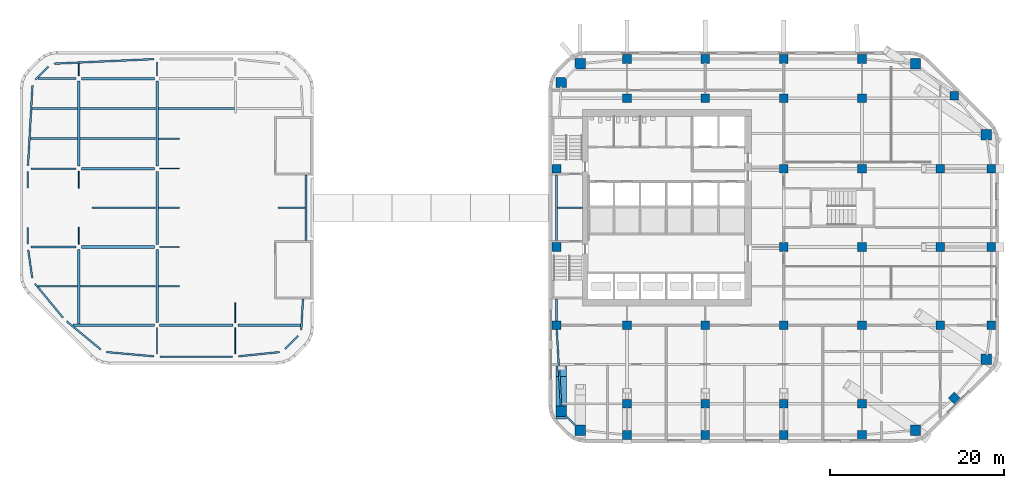
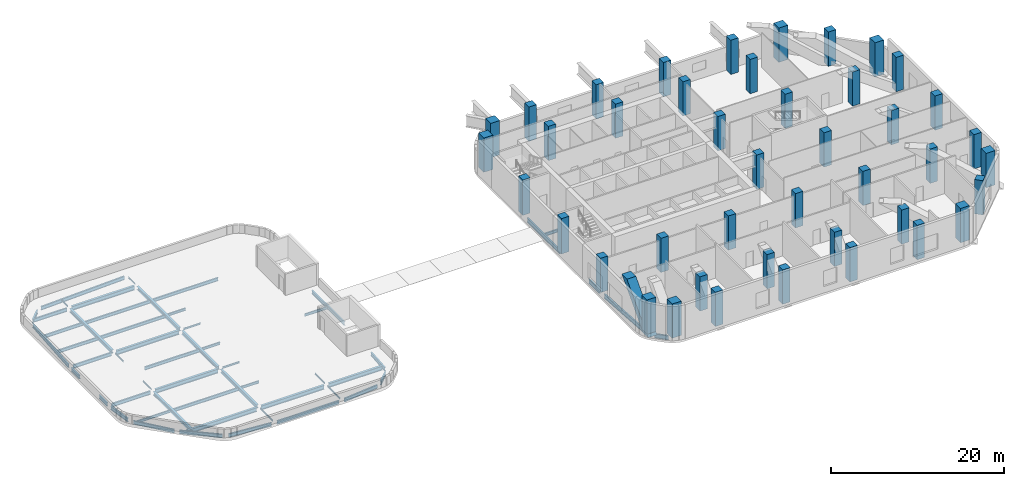
# One storey, part 1 of 11: 54 beams, 43 columns, 1 member.
"""IFC4 building model written with IfcOpenShell, lengths in metres."""

from ifc_helpers import new_model, si_unit, direction, frame, origin, origin_2d, place, context, subcontext, project, spatial, rectangle, i_section, extrude, material, material_profile, profile_set, type_object, element, save


model = new_model("IFC4")

# Units and contexts
model_context = context("Model", 3, precision=1e-05, world=origin(), true_north=direction((0.0, 1.0)))
body_context = subcontext(model_context, "Body", "Model", "MODEL_VIEW")
ifc_project = project(units=[si_unit("LENGTHUNIT", "METRE"), si_unit("AREAUNIT", "SQUARE_METRE"), si_unit("VOLUMEUNIT", "CUBIC_METRE"), si_unit("PLANEANGLEUNIT", "RADIAN"), si_unit("MASSUNIT", "GRAM", prefix="KILO")], contexts=[model_context])

# Site, building, storey
site_placement = place(None, origin())
site = spatial("IfcSite", under=ifc_project, at=site_placement, CompositionType="ELEMENT")
building_placement = place(site_placement, origin())
building = spatial("IfcBuilding", under=site, at=building_placement, Name="Cinnabar Reach Civic Tower", CompositionType="ELEMENT")
storey_placement = place(building_placement, frame((0.0, 0.0, 144.0)))
storey = spatial("IfcBuildingStorey", under=building, at=storey_placement, Name="L34", CompositionType="ELEMENT", Elevation=144.0)

# Columns
ifc_material_1 = material(Name="Concrete C70", Category="concrete")
ifc_material_profile_1 = material_profile(ifc_material_1, rectangle(XDim=1.0, YDim=1.0, at=origin_2d()), Name="RC1000")
ifc_profile_set_1 = profile_set([ifc_material_profile_1], Name="Concrete C70")
column_type_1 = type_object("IfcColumnType", Name="RC1000 column R 240", PredefinedType="COLUMN", material=ifc_profile_set_1)
for number, where, z_axis, x_axis, name in (
    (1, (9.0, 5.4, 0.0), (0.0, 0.0, 1.0), (1.0, 0.0, 0.0), "Terrace post T1-Z2-F0-1"),
    (2, (18.0, 5.4, 0.0), (0.0, 0.0, 1.0), (1.0, 0.0, 0.0), "Terrace post T1-Z2-F0-2"),
    (3, (27.0, 5.4, 0.0), (0.0, 0.0, 1.0), (1.0, 0.0, 0.0), "Terrace post T1-Z2-F0-3"),
    (4, (36.0, 5.4, 0.0), (0.0, 0.0, 1.0), (1.0, 0.0, 0.0), "Column T1-Z2-F0-4"),
    (5, (46.6136, 9.6364, 0.0), (0.0, 0.0, 1.0), (0.707106781187, 0.707106781187, 0.0), "Column T1-Z2-F1-M"),
    (6, (50.85, 18.0, 0.0), (0.0, 0.0, 1.0), (1.0, 0.0, 0.0), "Column T1-Z2-F2-2"),
    (7, (50.85, 27.0, 0.0), (0.0, 0.0, 1.0), (1.0, 0.0, 0.0), "Terrace post T1-Z2-F2-3"),
    (8, (50.85, 36.0, 0.0), (0.0, 0.0, 1.0), (1.0, 0.0, 0.0), "Terrace post T1-Z2-F2-4"),
    (9, (46.6136, 44.3636, 0.0), (0.0, 0.0, 1.0), (1.0, 0.0, 0.0), "Terrace post T1-Z2-F3-M"),
    (10, (9.0, 48.6, 0.0), (0.0, 0.0, 1.0), (1.0, 0.0, 0.0), "Column T1-Z2-F4-1"),
    (11, (18.0, 48.6, 0.0), (0.0, 0.0, 1.0), (1.0, 0.0, 0.0), "Column T1-Z2-F4-2"),
    (12, (27.0, 48.6, 0.0), (0.0, 0.0, 1.0), (1.0, 0.0, 0.0), "Column T1-Z2-F4-3"),
    (13, (36.0, 48.6, 0.0), (0.0, 0.0, 1.0), (1.0, 0.0, 0.0), "Column T1-Z2-F4-4"),
    (14, (0.9, 18.0, 0.0), (0.0, 0.0, 1.0), (1.0, 0.0, 0.0), "Column T1-Z2-F6-2"),
):
    element("IfcColumn", number, at=place(storey_placement, frame(where, z_axis=z_axis, x_axis=x_axis)), inside=storey, type_object=column_type_1, Name=name, PredefinedType="COLUMN", context=body_context, shape_type="SweptSolid", body=[
        extrude(rectangle(XDim=1.0, YDim=1.0, at=origin_2d()), origin(), (0.0, 0.0, 1.0), 4.85),
    ])
for number, where, z_axis, x_axis, name in (
    (15, (0.9, 27.0, 0.0), (0.0, 0.0, 1.0), (1.0, 0.0, 0.0), "Column T1-Z2-F6-3"),
    (16, (0.9, 36.0, 0.0), (0.0, 0.0, 1.0), (1.0, 0.0, 0.0), "Column T1-Z2-F6-4"),
):
    element("IfcColumn", number, at=place(storey_placement, frame(where, z_axis=z_axis, x_axis=x_axis)), inside=storey, type_object=column_type_1, Name=name, PredefinedType="COLUMN", context=body_context, shape_type="SweptSolid", body=[
        extrude(rectangle(XDim=1.0, YDim=1.0, at=origin_2d()), origin(), (0.0, 0.0, 1.0), 5.0),
    ])
for number, where, z_axis, x_axis, name in (
    (17, (9.0, 9.0, 0.0), (0.0, 0.0, 1.0), (1.0, 0.0, 0.0), "Column T1-Z2-I9_9"),
    (18, (9.0, 18.0, 0.0), (0.0, 0.0, 1.0), (1.0, 0.0, 0.0), "Column T1-Z2-I9_18"),
    (19, (9.0, 44.1, 0.0), (0.0, 0.0, 1.0), (1.0, 0.0, 0.0), "Column T1-Z2-I9_45"),
    (20, (18.0, 9.0, 0.0), (0.0, 0.0, 1.0), (1.0, 0.0, 0.0), "Column T1-Z2-I18_9"),
    (21, (18.0, 18.0, 0.0), (0.0, 0.0, 1.0), (1.0, 0.0, 0.0), "Column T1-Z2-I18_18"),
    (22, (18.0, 44.1, 0.0), (0.0, 0.0, 1.0), (1.0, 0.0, 0.0), "Column T1-Z2-I18_45"),
    (23, (27.0, 9.0, 0.0), (0.0, 0.0, 1.0), (1.0, 0.0, 0.0), "Column T1-Z2-I27_9"),
    (24, (27.0, 18.0, 0.0), (0.0, 0.0, 1.0), (1.0, 0.0, 0.0), "Column T1-Z2-I27_18"),
    (25, (27.0, 27.0, 0.0), (0.0, 0.0, 1.0), (1.0, 0.0, 0.0), "Column T1-Z2-I27_27"),
    (26, (27.0, 36.0, 0.0), (0.0, 0.0, 1.0), (1.0, 0.0, 0.0), "Column T1-Z2-I27_36"),
    (27, (27.0, 44.1, 0.0), (0.0, 0.0, 1.0), (1.0, 0.0, 0.0), "Column T1-Z2-I27_45"),
    (28, (36.0, 9.0, 0.0), (0.0, 0.0, 1.0), (1.0, 0.0, 0.0), "Column T1-Z2-I36_9"),
    (29, (36.0, 18.0, 0.0), (0.0, 0.0, 1.0), (1.0, 0.0, 0.0), "Column T1-Z2-I36_18"),
    (30, (36.0, 27.0, 0.0), (0.0, 0.0, 1.0), (1.0, 0.0, 0.0), "Column T1-Z2-I36_27"),
    (31, (36.0, 36.0, 0.0), (0.0, 0.0, 1.0), (1.0, 0.0, 0.0), "Column T1-Z2-I36_36"),
    (32, (36.0, 44.1, 0.0), (0.0, 0.0, 1.0), (1.0, 0.0, 0.0), "Column T1-Z2-I36_45"),
    (33, (45.0, 18.0, 0.0), (0.0, 0.0, 1.0), (1.0, 0.0, 0.0), "Column T1-Z2-I45_18"),
    (34, (45.0, 27.0, 0.0), (0.0, 0.0, 1.0), (1.0, 0.0, 0.0), "Column T1-Z2-I45_27"),
    (35, (45.0, 36.0, 0.0), (0.0, 0.0, 1.0), (1.0, 0.0, 0.0), "Column T1-Z2-I45_36"),
):
    element("IfcColumn", number, at=place(storey_placement, frame(where, z_axis=z_axis, x_axis=x_axis)), inside=storey, type_object=column_type_1, Name=name, PredefinedType="COLUMN", context=body_context, shape_type="SweptSolid", body=[
        extrude(rectangle(XDim=1.0, YDim=1.0, at=origin_2d()), origin(), (0.0, 0.0, 1.0), 4.85),
    ])
ifc_material_2 = material(Name="Concrete C80", Category="concrete")
ifc_material_profile_2 = material_profile(ifc_material_2, rectangle(XDim=1.2, YDim=1.2, at=origin_2d()), Name="RC1200")
ifc_profile_set_2 = profile_set([ifc_material_profile_2], Name="Concrete C80")
column_type_2 = type_object("IfcColumnType", Name="RC1200 column R 240", PredefinedType="COLUMN", material=ifc_profile_set_2)
for number, where, z_axis, x_axis, name in (
    (36, (3.6019, 5.9531, 0.0), (0.0, 0.0, 1.0), (1.0, 0.0, 0.0), "Terrace post T1-Z2-CC0"),
    (37, (42.1481, 5.9531, 0.0), (0.0, 0.0, 1.0), (1.0, 0.0, 0.0), "Terrace post T1-Z2-CC1"),
    (38, (50.2969, 14.1019, 0.0), (0.0, 0.0, 1.0), (1.0, 0.0, 0.0), "Terrace post T1-Z2-CC2"),
    (39, (50.2969, 39.8981, 0.0), (0.0, 0.0, 1.0), (1.0, 0.0, 0.0), "Terrace post T1-Z2-CC3"),
    (40, (42.1481, 48.0469, 0.0), (0.0, 0.0, 1.0), (1.0, 0.0, 0.0), "Column T1-Z2-CC4"),
    (41, (3.6019, 48.0469, 0.0), (0.0, 0.0, 1.0), (1.0, 0.0, 0.0), "Column T1-Z2-CC5"),
    (42, (1.4531, 45.8981, 0.0), (0.0, 0.0, 1.0), (1.0, 0.0, 0.0), "Column T1-Z2-CC6"),
    (43, (1.4531, 8.1019, 0.0), (0.0, 0.0, 1.0), (1.0, 0.0, 0.0), "Terrace post T1-Z2-CC7"),
):
    element("IfcColumn", number, at=place(storey_placement, frame(where, z_axis=z_axis, x_axis=x_axis)), inside=storey, type_object=column_type_2, Name=name, PredefinedType="COLUMN", context=body_context, shape_type="SweptSolid", body=[
        extrude(rectangle(XDim=1.2, YDim=1.2, at=origin_2d()), origin(), (0.0, 0.0, 1.0), 4.85),
    ])

# Beams
ifc_material_3 = material(Name="Steel Q355B", Category="steel")
ifc_material_profile_3 = material_profile(ifc_material_3, i_section(OverallWidth=0.3, OverallDepth=0.488, WebThickness=0.011, FlangeThickness=0.018, FilletRadius=0.016, at=origin_2d()), Name="HM488x300x11x18")
ifc_profile_set_3 = profile_set([ifc_material_profile_3], Name="Steel Q355B")
beam_type_1 = type_object("IfcBeamType", Name="HM488x300x11x18 beam R 120", PredefinedType="BEAM", material=ifc_profile_set_3)
beam_1_placement = place(storey_placement, frame((-54.0, 18.152, -0.694), z_axis=(0.0, 1.0, 0.0), x_axis=(-1.0, 0.0, 0.0)))
element("IfcBeam", 44, at=beam_1_placement, inside=storey, type_object=beam_type_1, Name="Girder T2 L34 1", PredefinedType="BEAM", context=body_context, shape_type="SweptSolid", body=[
    extrude(i_section(OverallWidth=0.3, OverallDepth=0.488, WebThickness=0.011, FlangeThickness=0.018, FilletRadius=0.016, at=origin_2d()), origin(), (0.0, 0.0, 1.0), 8.546),
])
beam_2_placement = place(storey_placement, frame((-54.0, 36.302, -0.694), z_axis=(0.0, 1.0, 0.0), x_axis=(-1.0, 0.0, 0.0)))
element("IfcBeam", 45, at=beam_2_placement, inside=storey, type_object=beam_type_1, Name="Girder T2 L34 4", PredefinedType="BEAM", context=body_context, shape_type="SweptSolid", body=[
    extrude(i_section(OverallWidth=0.3, OverallDepth=0.488, WebThickness=0.011, FlangeThickness=0.018, FilletRadius=0.016, at=origin_2d()), origin(), (0.0, 0.0, 1.0), 9.746),
])
for number, where, z_axis, x_axis, name in (
    (46, (-45.0, 18.302, -0.694), (0.0, 1.0, 0.0), (-1.0, 0.0, 0.0), "Girder T2 L34 7"),
    (47, (-45.0, 27.302, -0.694), (0.0, 1.0, 0.0), (-1.0, 0.0, 0.0), "Girder T2 L34 8"),
):
    element("IfcBeam", number, at=place(storey_placement, frame(where, z_axis=z_axis, x_axis=x_axis)), inside=storey, type_object=beam_type_1, Name=name, PredefinedType="BEAM", context=body_context, shape_type="SweptSolid", body=[
        extrude(i_section(OverallWidth=0.3, OverallDepth=0.488, WebThickness=0.011, FlangeThickness=0.018, FilletRadius=0.016, at=origin_2d()), origin(), (0.0, 0.0, 1.0), 8.396),
    ])
beam_3_placement = place(storey_placement, frame((-45.0, 36.302, -0.694), z_axis=(0.0, 1.0, 0.0), x_axis=(-1.0, 0.0, 0.0)))
element("IfcBeam", 48, at=beam_3_placement, inside=storey, type_object=beam_type_1, Name="Girder T2 L34 9", PredefinedType="BEAM", context=body_context, shape_type="SweptSolid", body=[
    extrude(i_section(OverallWidth=0.3, OverallDepth=0.488, WebThickness=0.011, FlangeThickness=0.018, FilletRadius=0.016, at=origin_2d()), origin(), (0.0, 0.0, 1.0), 9.746),
])
ifc_material_profile_4 = material_profile(ifc_material_3, i_section(OverallWidth=0.3, OverallDepth=0.588, WebThickness=0.012, FlangeThickness=0.02, FilletRadius=0.016, at=origin_2d()), Name="HM588x300x12x20")
ifc_profile_set_4 = profile_set([ifc_material_profile_4], Name="Steel Q355B")
beam_type_2 = type_object("IfcBeamType", Name="HM588x300x12x20 beam R 120", PredefinedType="BEAM", material=ifc_profile_set_4)
beam_4_placement = place(storey_placement, frame((-54.6818, 18.0, -0.744), z_axis=(1.0, 0.0, 0.0), x_axis=(0.0, 1.0, 0.0)))
element("IfcBeam", 49, at=beam_4_placement, inside=storey, type_object=beam_type_2, Name="Girder T2 L34 1", PredefinedType="BEAM", context=body_context, shape_type="SweptSolid", body=[
    extrude(i_section(OverallWidth=0.3, OverallDepth=0.588, WebThickness=0.012, FlangeThickness=0.02, FilletRadius=0.016, at=origin_2d()), origin(), (0.0, 0.0, 1.0), 9.3798),
])
beam_5_placement = place(storey_placement, frame((-44.698, 18.0, -0.744), z_axis=(1.0, 0.0, 0.0), x_axis=(0.0, 1.0, 0.0)))
element("IfcBeam", 50, at=beam_5_placement, inside=storey, type_object=beam_type_2, Name="Girder T2 L34 2", PredefinedType="BEAM", context=body_context, shape_type="SweptSolid", body=[
    extrude(i_section(OverallWidth=0.3, OverallDepth=0.588, WebThickness=0.012, FlangeThickness=0.02, FilletRadius=0.016, at=origin_2d()), origin(), (0.0, 0.0, 1.0), 8.396),
])
beam_6_placement = place(storey_placement, frame((-35.698, 18.0, -0.744), z_axis=(1.0, 0.0, 0.0), x_axis=(0.0, 1.0, 0.0)))
element("IfcBeam", 51, at=beam_6_placement, inside=storey, type_object=beam_type_2, Name="Girder T2 L34 3", PredefinedType="BEAM", context=body_context, shape_type="SweptSolid", body=[
    extrude(i_section(OverallWidth=0.3, OverallDepth=0.588, WebThickness=0.012, FlangeThickness=0.02, FilletRadius=0.016, at=origin_2d()), origin(), (0.0, 0.0, 1.0), 7.1929),
])
for number, where, z_axis, x_axis, name in (
    (52, (-53.698, 27.0, -0.744), (1.0, 0.0, 0.0), (0.0, 1.0, 0.0), "Girder T2 L34 5"),
    (53, (-53.698, 36.0, -0.744), (1.0, 0.0, 0.0), (0.0, 1.0, 0.0), "Girder T2 L34 8"),
    (54, (-53.698, 46.35, -0.744), (1.0, 0.0, 0.0), (0.0, 1.0, 0.0), "Girder T2 L34 11"),
):
    element("IfcBeam", number, at=place(storey_placement, frame(where, z_axis=z_axis, x_axis=x_axis)), inside=storey, type_object=beam_type_2, Name=name, PredefinedType="BEAM", context=body_context, shape_type="SweptSolid", body=[
        extrude(i_section(OverallWidth=0.3, OverallDepth=0.588, WebThickness=0.012, FlangeThickness=0.02, FilletRadius=0.016, at=origin_2d()), origin(), (0.0, 0.0, 1.0), 8.396),
    ])
ifc_material_profile_5 = material_profile(ifc_material_3, i_section(OverallWidth=0.099, OverallDepth=0.198, WebThickness=0.0045, FlangeThickness=0.007, FilletRadius=0.013, at=origin_2d()), Name="HN200x100x5.5x8")
ifc_profile_set_5 = profile_set([ifc_material_profile_5], Name="Steel Q355B")
beam_type_3 = type_object("IfcBeamType", Name="HN200x100x5.5x8 beam R 120", PredefinedType="BEAM", material=ifc_profile_set_5)
for number, where, z_axis, x_axis, name in (
    (55, (-54.0, 27.302, -0.549), (0.0, 1.0, 0.0), (-1.0, 0.0, 0.0), "Girder T2 L34 2"),
    (56, (-54.0, 33.752, -0.549), (0.0, 1.0, 0.0), (-1.0, 0.0, 0.0), "Girder T2 L34 3"),
):
    element("IfcBeam", number, at=place(storey_placement, frame(where, z_axis=z_axis, x_axis=x_axis)), inside=storey, type_object=beam_type_3, Name=name, PredefinedType="BEAM", context=body_context, shape_type="SweptSolid", body=[
        extrude(i_section(OverallWidth=0.099, OverallDepth=0.198, WebThickness=0.0045, FlangeThickness=0.007, FilletRadius=0.013, at=origin_2d()), origin(), (0.0, 0.0, 1.0), 1.946),
    ])
beam_7_placement = place(storey_placement, frame((-54.0, 46.652, -0.549), z_axis=(0.0, 1.0, 0.0), x_axis=(-1.0, 0.0, 0.0)))
element("IfcBeam", 57, at=beam_7_placement, inside=storey, type_object=beam_type_3, Name="Girder T2 L34 5", PredefinedType="BEAM", context=body_context, shape_type="SweptSolid", body=[
    extrude(i_section(OverallWidth=0.099, OverallDepth=0.198, WebThickness=0.0045, FlangeThickness=0.007, FilletRadius=0.013, at=origin_2d()), origin(), (0.0, 0.0, 1.0), 1.4361),
])
beam_8_placement = place(storey_placement, frame((-45.0, 14.752, -0.549), z_axis=(0.0, 1.0, 0.0), x_axis=(-1.0, 0.0, 0.0)))
element("IfcBeam", 58, at=beam_8_placement, inside=storey, type_object=beam_type_3, Name="Girder T2 L34 6", PredefinedType="BEAM", context=body_context, shape_type="SweptSolid", body=[
    extrude(i_section(OverallWidth=0.099, OverallDepth=0.198, WebThickness=0.0045, FlangeThickness=0.007, FilletRadius=0.013, at=origin_2d()), origin(), (0.0, 0.0, 1.0), 2.946),
])
beam_9_placement = place(storey_placement, frame((-45.0, 46.652, -0.549), z_axis=(0.0, 1.0, 0.0), x_axis=(-1.0, 0.0, 0.0)))
element("IfcBeam", 59, at=beam_9_placement, inside=storey, type_object=beam_type_3, Name="Girder T2 L34 10", PredefinedType="BEAM", context=body_context, shape_type="SweptSolid", body=[
    extrude(i_section(OverallWidth=0.099, OverallDepth=0.198, WebThickness=0.0045, FlangeThickness=0.007, FilletRadius=0.013, at=origin_2d()), origin(), (0.0, 0.0, 1.0), 1.596),
])
beam_10_placement = place(storey_placement, frame((-36.0, 14.752, -0.549), z_axis=(0.0, 1.0, 0.0), x_axis=(-1.0, 0.0, 0.0)))
element("IfcBeam", 60, at=beam_10_placement, inside=storey, type_object=beam_type_3, Name="Girder T2 L34 11", PredefinedType="BEAM", context=body_context, shape_type="SweptSolid", body=[
    extrude(i_section(OverallWidth=0.099, OverallDepth=0.198, WebThickness=0.0045, FlangeThickness=0.007, FilletRadius=0.013, at=origin_2d()), origin(), (0.0, 0.0, 1.0), 2.946),
])
beam_11_placement = place(storey_placement, frame((-36.0, 18.302, -0.549), z_axis=(0.0, 1.0, 0.0), x_axis=(-1.0, 0.0, 0.0)))
element("IfcBeam", 61, at=beam_11_placement, inside=storey, type_object=beam_type_3, Name="Girder T2 L34 12", PredefinedType="BEAM", context=body_context, shape_type="SweptSolid", body=[
    extrude(i_section(OverallWidth=0.099, OverallDepth=0.198, WebThickness=0.0045, FlangeThickness=0.007, FilletRadius=0.013, at=origin_2d()), origin(), (0.0, 0.0, 1.0), 2.296),
])
ifc_material_profile_6 = material_profile(ifc_material_3, i_section(OverallWidth=0.124, OverallDepth=0.248, WebThickness=0.005, FlangeThickness=0.008, FilletRadius=0.013, at=origin_2d()), Name="HN250x125x6x9")
ifc_profile_set_6 = profile_set([ifc_material_profile_6], Name="Steel Q355B")
beam_type_4 = type_object("IfcBeamType", Name="HN250x125x6x9 beam R 120", PredefinedType="BEAM", material=ifc_profile_set_6)
for number, where, z_axis, x_axis, name in (
    (62, (-44.698, 27.0, -0.574), (1.0, 0.0, 0.0), (0.0, 1.0, 0.0), "Girder T2 L34 6"),
    (63, (-44.698, 36.0, -0.574), (1.0, 0.0, 0.0), (0.0, 1.0, 0.0), "Girder T2 L34 9"),
):
    element("IfcBeam", number, at=place(storey_placement, frame(where, z_axis=z_axis, x_axis=x_axis)), inside=storey, type_object=beam_type_4, Name=name, PredefinedType="BEAM", context=body_context, shape_type="SweptSolid", body=[
        extrude(i_section(OverallWidth=0.124, OverallDepth=0.248, WebThickness=0.005, FlangeThickness=0.008, FilletRadius=0.013, at=origin_2d()), origin(), (0.0, 0.0, 1.0), 2.296),
    ])
ifc_material_profile_7 = material_profile(ifc_material_3, i_section(OverallWidth=0.175, OverallDepth=0.35, WebThickness=0.007, FlangeThickness=0.011, FilletRadius=0.013, at=origin_2d()), Name="HN350x175x7x11")
ifc_profile_set_7 = profile_set([ifc_material_profile_7], Name="Steel Q355B")
beam_type_5 = type_object("IfcBeamType", Name="HN350x175x7x11 beam R 120", PredefinedType="BEAM", material=ifc_profile_set_7)
beam_12_placement = place(storey_placement, frame((-58.6682, 22.5, -0.625), z_axis=(1.0, 0.0, 0.0), x_axis=(0.0, 1.0, 0.0)))
element("IfcBeam", 64, at=beam_12_placement, inside=storey, type_object=beam_type_5, Name="Secondary beam T2 L34 1", PredefinedType="BEAM", context=body_context, shape_type="SweptSolid", body=[
    extrude(i_section(OverallWidth=0.175, OverallDepth=0.35, WebThickness=0.007, FlangeThickness=0.011, FilletRadius=0.013, at=origin_2d()), origin(), (0.0, 0.0, 1.0), 4.5162),
])
for number, where, z_axis, x_axis, name in (
    (65, (-44.848, 22.5, -0.625), (1.0, 0.0, 0.0), (0.0, 1.0, 0.0), "Secondary beam T2 L34 3"),
    (66, (-44.848, 31.5, -0.625), (1.0, 0.0, 0.0), (0.0, 1.0, 0.0), "Secondary beam T2 L34 5"),
):
    element("IfcBeam", number, at=place(storey_placement, frame(where, z_axis=z_axis, x_axis=x_axis)), inside=storey, type_object=beam_type_5, Name=name, PredefinedType="BEAM", context=body_context, shape_type="SweptSolid", body=[
        extrude(i_section(OverallWidth=0.175, OverallDepth=0.35, WebThickness=0.007, FlangeThickness=0.011, FilletRadius=0.013, at=origin_2d()), origin(), (0.0, 0.0, 1.0), 2.446),
    ])
beam_13_placement = place(storey_placement, frame((-31.098, 31.5, -0.625), z_axis=(1.0, 0.0, 0.0), x_axis=(0.0, 1.0, 0.0)))
element("IfcBeam", 67, at=beam_13_placement, inside=storey, type_object=beam_type_5, Name="Secondary beam T2 L34 6", PredefinedType="BEAM", context=body_context, shape_type="SweptSolid", body=[
    extrude(i_section(OverallWidth=0.175, OverallDepth=0.35, WebThickness=0.007, FlangeThickness=0.011, FilletRadius=0.013, at=origin_2d()), origin(), (0.0, 0.0, 1.0), 3.096),
])
beam_14_placement = place(storey_placement, frame((-44.848, 39.45, -0.625), z_axis=(1.0, 0.0, 0.0), x_axis=(0.0, 1.0, 0.0)))
element("IfcBeam", 68, at=beam_14_placement, inside=storey, type_object=beam_type_5, Name="Secondary beam T2 L34 9", PredefinedType="BEAM", context=body_context, shape_type="SweptSolid", body=[
    extrude(i_section(OverallWidth=0.175, OverallDepth=0.35, WebThickness=0.007, FlangeThickness=0.011, FilletRadius=0.013, at=origin_2d()), origin(), (0.0, 0.0, 1.0), 2.446),
])
ifc_material_profile_8 = material_profile(ifc_material_3, i_section(OverallWidth=0.199, OverallDepth=0.396, WebThickness=0.007, FlangeThickness=0.011, FilletRadius=0.013, at=origin_2d()), Name="HN396x199x7x11")
ifc_profile_set_8 = profile_set([ifc_material_profile_8], Name="Steel Q355B")
beam_type_6 = type_object("IfcBeamType", Name="HN396x199x7x11 beam R 180", PredefinedType="BEAM", material=ifc_profile_set_8)
beam_15_placement = place(storey_placement, frame((1.002, 31.5, -0.498), z_axis=(1.0, 0.0, 0.0), x_axis=(0.0, 1.0, 0.0)))
element("IfcBeam", 69, at=beam_15_placement, inside=storey, type_object=beam_type_6, Name="Secondary beam T1 L34 11", PredefinedType="BEAM", context=body_context, shape_type="SweptSolid", body=[
    extrude(i_section(OverallWidth=0.199, OverallDepth=0.396, WebThickness=0.007, FlangeThickness=0.011, FilletRadius=0.013, at=origin_2d()), origin(), (0.0, 0.0, 1.0), 2.896),
])
ifc_material_profile_9 = material_profile(ifc_material_3, i_section(OverallWidth=0.2, OverallDepth=0.45, WebThickness=0.009, FlangeThickness=0.014, FilletRadius=0.016, at=origin_2d()), Name="HN450x200x9x14")
ifc_profile_set_9 = profile_set([ifc_material_profile_9], Name="Steel Q355B")
beam_type_7 = type_object("IfcBeamType", Name="HN450x200x9x14 beam R 120", PredefinedType="BEAM", material=ifc_profile_set_9)
beam_16_placement = place(storey_placement, frame((-53.848, 22.5, -0.675), z_axis=(1.0, 0.0, 0.0), x_axis=(0.0, 1.0, 0.0)))
element("IfcBeam", 70, at=beam_16_placement, inside=storey, type_object=beam_type_7, Name="Secondary beam T2 L34 2", PredefinedType="BEAM", context=body_context, shape_type="SweptSolid", body=[
    extrude(i_section(OverallWidth=0.2, OverallDepth=0.45, WebThickness=0.009, FlangeThickness=0.014, FilletRadius=0.016, at=origin_2d()), origin(), (0.0, 0.0, 1.0), 8.696),
])
beam_17_placement = place(storey_placement, frame((-52.498, 31.5, -0.675), z_axis=(1.0, 0.0, 0.0), x_axis=(0.0, 1.0, 0.0)))
element("IfcBeam", 71, at=beam_17_placement, inside=storey, type_object=beam_type_7, Name="Secondary beam T2 L34 4", PredefinedType="BEAM", context=body_context, shape_type="SweptSolid", body=[
    extrude(i_section(OverallWidth=0.2, OverallDepth=0.45, WebThickness=0.009, FlangeThickness=0.014, FilletRadius=0.016, at=origin_2d()), origin(), (0.0, 0.0, 1.0), 7.346),
])
beam_18_placement = place(storey_placement, frame((-59.5551, 39.45, -0.675), z_axis=(1.0, 0.0, 0.0), x_axis=(0.0, 1.0, 0.0)))
element("IfcBeam", 72, at=beam_18_placement, inside=storey, type_object=beam_type_7, Name="Secondary beam T2 L34 7", PredefinedType="BEAM", context=body_context, shape_type="SweptSolid", body=[
    extrude(i_section(OverallWidth=0.2, OverallDepth=0.45, WebThickness=0.009, FlangeThickness=0.014, FilletRadius=0.016, at=origin_2d()), origin(), (0.0, 0.0, 1.0), 5.4031),
])
beam_19_placement = place(storey_placement, frame((-53.848, 39.45, -0.675), z_axis=(1.0, 0.0, 0.0), x_axis=(0.0, 1.0, 0.0)))
element("IfcBeam", 73, at=beam_19_placement, inside=storey, type_object=beam_type_7, Name="Secondary beam T2 L34 8", PredefinedType="BEAM", context=body_context, shape_type="SweptSolid", body=[
    extrude(i_section(OverallWidth=0.2, OverallDepth=0.45, WebThickness=0.009, FlangeThickness=0.014, FilletRadius=0.016, at=origin_2d()), origin(), (0.0, 0.0, 1.0), 8.696),
])
beam_20_placement = place(storey_placement, frame((-59.3623, 42.9, -0.675), z_axis=(1.0, 0.0, 0.0), x_axis=(0.0, 1.0, 0.0)))
element("IfcBeam", 74, at=beam_20_placement, inside=storey, type_object=beam_type_7, Name="Secondary beam T2 L34 10", PredefinedType="BEAM", context=body_context, shape_type="SweptSolid", body=[
    extrude(i_section(OverallWidth=0.2, OverallDepth=0.45, WebThickness=0.009, FlangeThickness=0.014, FilletRadius=0.016, at=origin_2d()), origin(), (0.0, 0.0, 1.0), 5.2103),
])
beam_21_placement = place(storey_placement, frame((-53.848, 42.9, -0.675), z_axis=(1.0, 0.0, 0.0), x_axis=(0.0, 1.0, 0.0)))
element("IfcBeam", 75, at=beam_21_placement, inside=storey, type_object=beam_type_7, Name="Secondary beam T2 L34 11", PredefinedType="BEAM", context=body_context, shape_type="SweptSolid", body=[
    extrude(i_section(OverallWidth=0.2, OverallDepth=0.45, WebThickness=0.009, FlangeThickness=0.014, FilletRadius=0.016, at=origin_2d()), origin(), (0.0, 0.0, 1.0), 8.696),
])
beam_22_placement = place(storey_placement, frame((-44.848, 42.9, -0.675), z_axis=(1.0, 0.0, 0.0), x_axis=(0.0, 1.0, 0.0)))
element("IfcBeam", 76, at=beam_22_placement, inside=storey, type_object=beam_type_7, Name="Secondary beam T2 L34 12", PredefinedType="BEAM", context=body_context, shape_type="SweptSolid", body=[
    extrude(i_section(OverallWidth=0.2, OverallDepth=0.45, WebThickness=0.009, FlangeThickness=0.014, FilletRadius=0.016, at=origin_2d()), origin(), (0.0, 0.0, 1.0), 8.746),
])
ifc_material_profile_10 = material_profile(ifc_material_3, i_section(OverallWidth=0.2, OverallDepth=0.5, WebThickness=0.01, FlangeThickness=0.016, FilletRadius=0.016, at=origin_2d()), Name="HN500x200x10x16")
ifc_profile_set_10 = profile_set([ifc_material_profile_10], Name="Steel Q355B")
beam_type_8 = type_object("IfcBeamType", Name="HN500x200x10x16 beam R 120", PredefinedType="BEAM", material=ifc_profile_set_10)
beam_23_placement = place(storey_placement, frame((-50.8161, 14.9232, -0.7), z_axis=(0.99597881512, -0.089589060894, 0.0), x_axis=(0.089589060894, 0.99597881512, 0.0)))
element("IfcBeam", 77, at=beam_23_placement, inside=storey, type_object=beam_type_8, Name="Edge beam T2 L34 1", PredefinedType="BEAM", context=body_context, shape_type="SweptSolid", body=[
    extrude(i_section(OverallWidth=0.2, OverallDepth=0.5, WebThickness=0.01, FlangeThickness=0.016, FilletRadius=0.016, at=origin_2d()), origin(), (0.0, 0.0, 1.0), 5.4862),
])
beam_24_placement = place(storey_placement, frame((-44.648, 14.4, -0.7), z_axis=(1.0, 0.0, 0.0), x_axis=(0.0, 1.0, 0.0)))
element("IfcBeam", 78, at=beam_24_placement, inside=storey, type_object=beam_type_8, Name="Edge beam T2 L34 2", PredefinedType="BEAM", context=body_context, shape_type="SweptSolid", body=[
    extrude(i_section(OverallWidth=0.2, OverallDepth=0.5, WebThickness=0.01, FlangeThickness=0.016, FilletRadius=0.016, at=origin_2d()), origin(), (0.0, 0.0, 1.0), 8.296),
])
beam_25_placement = place(storey_placement, frame((-35.648, 14.4361, -0.7), z_axis=(0.994792087401, 0.101924986363, 0.0), x_axis=(-0.101924986363, 0.994792087401, 0.0)))
element("IfcBeam", 79, at=beam_25_placement, inside=storey, type_object=beam_type_8, Name="Edge beam T2 L34 3", PredefinedType="BEAM", context=body_context, shape_type="SweptSolid", body=[
    extrude(i_section(OverallWidth=0.2, OverallDepth=0.5, WebThickness=0.01, FlangeThickness=0.016, FilletRadius=0.016, at=origin_2d()), origin(), (0.0, 0.0, 1.0), 4.7388),
])
beam_26_placement = place(storey_placement, frame((-30.2699, 15.2851, -0.7), z_axis=(0.707106781187, 0.707106781187, 0.0), x_axis=(-0.707106781187, 0.707106781187, 0.0)))
element("IfcBeam", 80, at=beam_26_placement, inside=storey, type_object=beam_type_8, Name="Edge beam T2 L34 4", PredefinedType="BEAM", context=body_context, shape_type="SweptSolid", body=[
    extrude(i_section(OverallWidth=0.2, OverallDepth=0.5, WebThickness=0.01, FlangeThickness=0.016, FilletRadius=0.016, at=origin_2d()), origin(), (0.0, 0.0, 1.0), 2.0998),
])
beam_27_placement = place(storey_placement, frame((-28.4345, 17.4339, -0.7), z_axis=(0.055775670196, 0.99844332569, 0.0), x_axis=(-0.99844332569, 0.055775670196, 0.0)))
element("IfcBeam", 81, at=beam_27_placement, inside=storey, type_object=beam_type_8, Name="Edge beam T2 L34 5", PredefinedType="BEAM", context=body_context, shape_type="SweptSolid", body=[
    extrude(i_section(OverallWidth=0.2, OverallDepth=0.5, WebThickness=0.01, FlangeThickness=0.016, FilletRadius=0.016, at=origin_2d()), origin(), (0.0, 0.0, 1.0), 3.5697),
])
beam_28_placement = place(storey_placement, frame((-27.9, 27.752, -0.7), z_axis=(0.0, 1.0, 0.0), x_axis=(-1.0, 0.0, 0.0)))
element("IfcBeam", 82, at=beam_28_placement, inside=storey, type_object=beam_type_8, Name="Edge beam T2 L34 6", PredefinedType="BEAM", context=body_context, shape_type="SweptSolid", body=[
    extrude(i_section(OverallWidth=0.2, OverallDepth=0.5, WebThickness=0.01, FlangeThickness=0.016, FilletRadius=0.016, at=origin_2d()), origin(), (0.0, 0.0, 1.0), 7.496),
])
beam_29_placement = place(storey_placement, frame((-45.352, 48.584, -0.7), z_axis=(-0.998964961738, -0.045486319033, 0.0), x_axis=(0.045486319033, -0.998964961738, 0.0)))
element("IfcBeam", 83, at=beam_29_placement, inside=storey, type_object=beam_type_8, Name="Edge beam T2 L34 11", PredefinedType="BEAM", context=body_context, shape_type="SweptSolid", body=[
    extrude(i_section(OverallWidth=0.2, OverallDepth=0.5, WebThickness=0.01, FlangeThickness=0.016, FilletRadius=0.016, at=origin_2d()), origin(), (0.0, 0.0, 1.0), 11.476),
])
beam_30_placement = place(storey_placement, frame((-57.4801, 47.7149, -0.7), z_axis=(-0.707106781187, -0.707106781187, 0.0), x_axis=(0.707106781187, -0.707106781187, 0.0)))
element("IfcBeam", 84, at=beam_30_placement, inside=storey, type_object=beam_type_8, Name="Edge beam T2 L34 12", PredefinedType="BEAM", context=body_context, shape_type="SweptSolid", body=[
    extrude(i_section(OverallWidth=0.2, OverallDepth=0.5, WebThickness=0.01, FlangeThickness=0.016, FilletRadius=0.016, at=origin_2d()), origin(), (0.0, 0.0, 1.0), 2.0998),
])
beam_31_placement = place(storey_placement, frame((-59.3155, 45.5661, -0.7), z_axis=(-0.055783895065, -0.998442866193, 0.0), x_axis=(0.998442866193, -0.055783895065, 0.0)))
element("IfcBeam", 85, at=beam_31_placement, inside=storey, type_object=beam_type_8, Name="Edge beam T2 L34 13", PredefinedType="BEAM", context=body_context, shape_type="SweptSolid", body=[
    extrude(i_section(OverallWidth=0.2, OverallDepth=0.5, WebThickness=0.01, FlangeThickness=0.016, FilletRadius=0.016, at=origin_2d()), origin(), (0.0, 0.0, 1.0), 9.2285),
])
for number, where, z_axis, x_axis, name in (
    (86, (-59.85, 35.648, -0.7), (0.0, -1.0, 0.0), (1.0, 0.0, 0.0), "Edge beam T2 L34 14"),
    (87, (-59.85, 29.248, -0.7), (0.0, -1.0, 0.0), (1.0, 0.0, 0.0), "Edge beam T2 L34 15"),
):
    element("IfcBeam", number, at=place(storey_placement, frame(where, z_axis=z_axis, x_axis=x_axis)), inside=storey, type_object=beam_type_8, Name=name, PredefinedType="BEAM", context=body_context, shape_type="SweptSolid", body=[
        extrude(i_section(OverallWidth=0.2, OverallDepth=0.5, WebThickness=0.01, FlangeThickness=0.016, FilletRadius=0.016, at=origin_2d()), origin(), (0.0, 0.0, 1.0), 1.896),
    ])
beam_32_placement = place(storey_placement, frame((-59.8001, 26.648, -0.7), z_axis=(0.140498398047, -0.990080905859, 0.0), x_axis=(0.990080905859, 0.140498398047, 0.0)))
element("IfcBeam", 88, at=beam_32_placement, inside=storey, type_object=beam_type_8, Name="Edge beam T2 L34 16", PredefinedType="BEAM", context=body_context, shape_type="SweptSolid", body=[
    extrude(i_section(OverallWidth=0.2, OverallDepth=0.5, WebThickness=0.01, FlangeThickness=0.016, FilletRadius=0.016, at=origin_2d()), origin(), (0.0, 0.0, 1.0), 3.2463),
])
for number, where, z_axis, x_axis, name in (
    (89, (-59.0231, 22.7699, -0.7), (0.636307764727, -0.771435304189, 0.0), (0.771435304189, 0.636307764727, 0.0), "Edge beam T2 L34 17"),
    (90, (-55.3873, 18.4497, -0.7), (0.771435304189, -0.636307764727, 0.0), (0.636307764727, 0.771435304189, 0.0), "Edge beam T2 L34 18"),
):
    element("IfcBeam", number, at=place(storey_placement, frame(where, z_axis=z_axis, x_axis=x_axis)), inside=storey, type_object=beam_type_8, Name=name, PredefinedType="BEAM", context=body_context, shape_type="SweptSolid", body=[
        extrude(i_section(OverallWidth=0.2, OverallDepth=0.5, WebThickness=0.01, FlangeThickness=0.016, FilletRadius=0.016, at=origin_2d()), origin(), (0.0, 0.0, 1.0), 5.0648),
    ])
for number, where, z_axis, x_axis, name in (
    (91, (-59.498, 27.0, -0.7), (1.0, 0.0, 0.0), (0.0, 1.0, 0.0), "Girder T2 L34 4"),
    (92, (-59.498, 36.0, -0.7), (1.0, 0.0, 0.0), (0.0, 1.0, 0.0), "Girder T2 L34 7"),
):
    element("IfcBeam", number, at=place(storey_placement, frame(where, z_axis=z_axis, x_axis=x_axis)), inside=storey, type_object=beam_type_8, Name=name, PredefinedType="BEAM", context=body_context, shape_type="SweptSolid", body=[
        extrude(i_section(OverallWidth=0.2, OverallDepth=0.5, WebThickness=0.01, FlangeThickness=0.016, FilletRadius=0.016, at=origin_2d()), origin(), (0.0, 0.0, 1.0), 5.196),
    ])
beam_33_placement = place(storey_placement, frame((-58.7008, 46.35, -0.7), z_axis=(1.0, 0.0, 0.0), x_axis=(0.0, 1.0, 0.0)))
element("IfcBeam", 93, at=beam_33_placement, inside=storey, type_object=beam_type_8, Name="Girder T2 L34 10", PredefinedType="BEAM", context=body_context, shape_type="SweptSolid", body=[
    extrude(i_section(OverallWidth=0.2, OverallDepth=0.5, WebThickness=0.01, FlangeThickness=0.016, FilletRadius=0.016, at=origin_2d()), origin(), (0.0, 0.0, 1.0), 4.3988),
])
ifc_material_profile_11 = material_profile(ifc_material_3, i_section(OverallWidth=0.2, OverallDepth=0.6, WebThickness=0.011, FlangeThickness=0.017, FilletRadius=0.016, at=origin_2d()), Name="HN600x200x11x17")
ifc_profile_set_11 = profile_set([ifc_material_profile_11], Name="Steel Q355B")
beam_type_9 = type_object("IfcBeamType", Name="HN600x200x11x17 beam R 180", PredefinedType="BEAM", material=ifc_profile_set_11)
beam_34_placement = place(storey_placement, frame((0.9, 35.248, -0.6), z_axis=(0.0, -1.0, 0.0), x_axis=(1.0, 0.0, 0.0)))
element("IfcBeam", 94, at=beam_34_placement, inside=storey, type_object=beam_type_9, Name="Edge beam T1 L34 21", PredefinedType="BEAM", context=body_context, shape_type="SweptSolid", body=[
    extrude(i_section(OverallWidth=0.2, OverallDepth=0.6, WebThickness=0.011, FlangeThickness=0.017, FilletRadius=0.016, at=origin_2d()), origin(), (0.0, 0.0, 1.0), 7.496),
])
beam_35_placement = place(storey_placement, frame((0.9, 20.998, -0.6), z_axis=(0.0, -1.0, 0.0), x_axis=(1.0, 0.0, 0.0)))
element("IfcBeam", 95, at=beam_35_placement, inside=storey, type_object=beam_type_9, Name="Edge beam T1 L34 22", PredefinedType="BEAM", context=body_context, shape_type="SweptSolid", body=[
    extrude(i_section(OverallWidth=0.2, OverallDepth=0.6, WebThickness=0.011, FlangeThickness=0.017, FilletRadius=0.016, at=origin_2d()), origin(), (0.0, 0.0, 1.0), 2.496),
])
beam_36_placement = place(storey_placement, frame((0.9281, 17.498, -0.6), z_axis=(0.055790736166, -0.998442483951, 0.0), x_axis=(0.998442483951, 0.055790736166, 0.0)))
element("IfcBeam", 96, at=beam_36_placement, inside=storey, type_object=beam_type_9, Name="Edge beam T1 L34 23", PredefinedType="BEAM", context=body_context, shape_type="SweptSolid", body=[
    extrude(i_section(OverallWidth=0.2, OverallDepth=0.6, WebThickness=0.011, FlangeThickness=0.017, FilletRadius=0.016, at=origin_2d()), origin(), (0.0, 0.0, 1.0), 8.928),
])
beam_37_placement = place(storey_placement, frame((1.9351, 7.6199, -0.6), z_axis=(0.707106781187, -0.707106781187, 0.0), x_axis=(0.707106781187, 0.707106781187, 0.0)))
element("IfcBeam", 97, at=beam_37_placement, inside=storey, type_object=beam_type_9, Name="Edge beam T1 L34 24", PredefinedType="BEAM", context=body_context, shape_type="SweptSolid", body=[
    extrude(i_section(OverallWidth=0.2, OverallDepth=0.6, WebThickness=0.011, FlangeThickness=0.017, FilletRadius=0.016, at=origin_2d()), origin(), (0.0, 0.0, 1.0), 1.6756),
])

# Member
ifc_material_profile_12 = material_profile(ifc_material_2, rectangle(XDim=1.2, YDim=1.2, at=origin_2d()), Name="RC1200")
ifc_profile_set_12 = profile_set([ifc_material_profile_12], Name="Concrete C80")
member_type = type_object("IfcMemberType", Name="RC1200 raked column R 240", PredefinedType="STRUT", material=ifc_profile_set_12)
member_placement = place(storey_placement, frame((1.4531, 7.8235, -0.3), z_axis=(0.0, 0.0, 1.0), x_axis=(1.0, 0.0, 0.0)))
element("IfcMember", 98, at=member_placement, inside=storey, type_object=member_type, Name="Raked column T1-Z2-CC7", PredefinedType="STRUT", context=body_context, shape_type="SweptSolid", body=[
    extrude(rectangle(XDim=1.2, YDim=1.2, at=origin_2d()), origin(), (0.0, 0.680166692317, 0.733057481145), 7.23),
])

save(model, "model.ifc")
